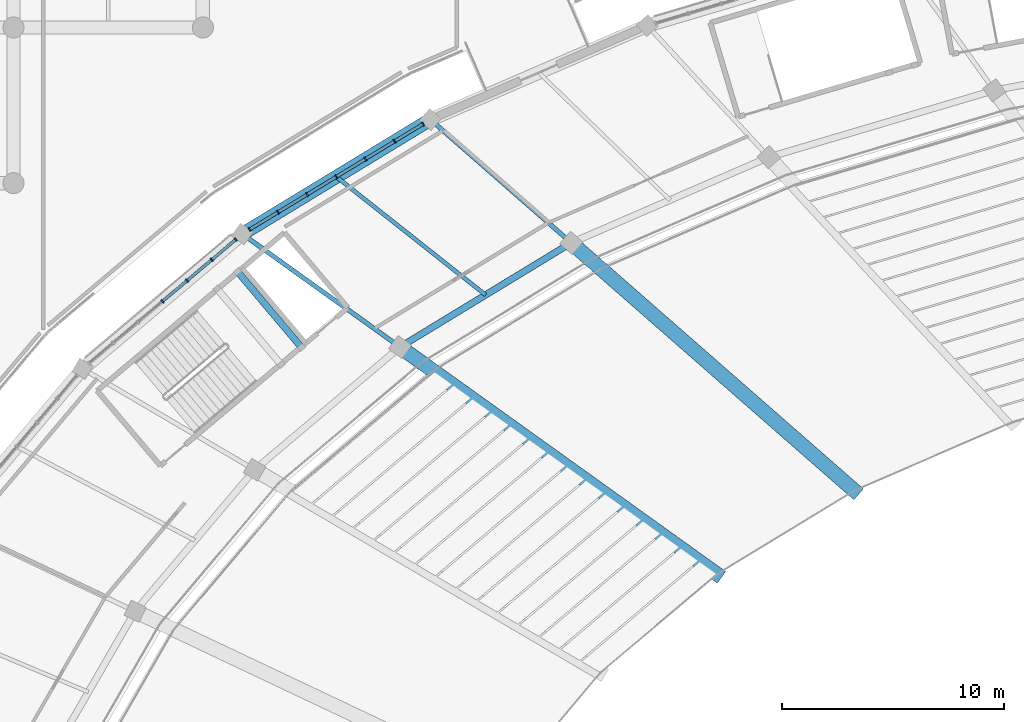
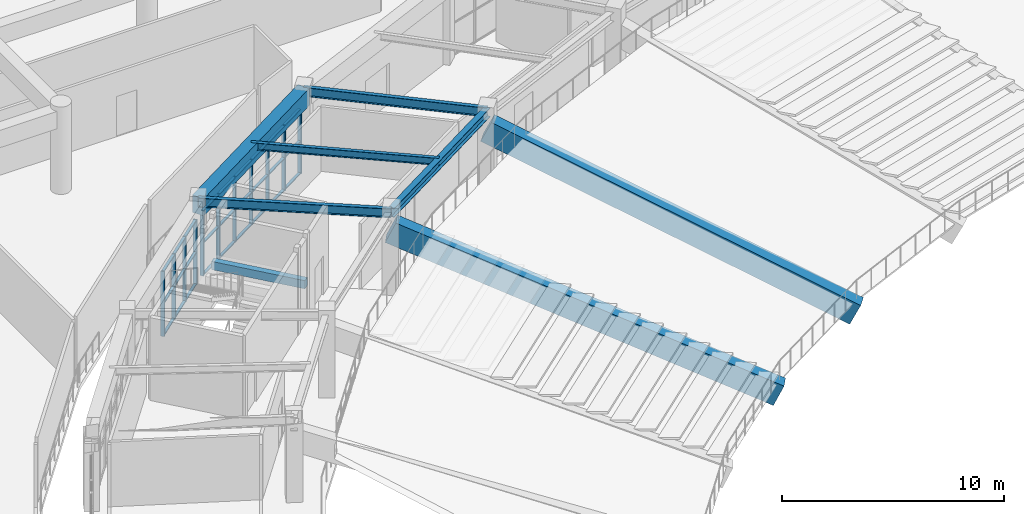
# One storey, part 54 of 137: 38 members, 8 beams, 2 elements without a shape of their own.
"""IFC4 building model written with IfcOpenShell, lengths in metres."""

import ifcopenshell
import ifcopenshell.guid

model = None  # the IFC model being written
_history = None  # IfcOwnerHistory: only IFC2X3 demands one
_inside = {}  # id of a spatial element -> (the spatial element, [elements in it])
_under = {}  # id of a project, library or spatial element -> (it, [spatial elements below it])
_declared = {}  # id of a project -> (the project, [libraries it declares])
_typed = {}  # id of a type object -> (the type object, [elements of that type])
_made_of = {}  # id of a material, layer set ... -> (it, [elements and type objects made of it])


def new_model(schema):
    """Start an empty IFC model of exactly this schema.

    Asked for "IFC4X3", IfcOpenShell would pick the latest addendum, in which some entities
    have other attributes; the version numbers below select the first issue.
    IFC2X3 requires an IfcOwnerHistory on every rooted entity: one is made here for all.
    """
    global model, _history
    if schema == "IFC4X3":
        model = ifcopenshell.file(schema_version=(4, 3, 0, 0))
    else:
        model = ifcopenshell.file(schema=schema)
    _inside.clear()
    _under.clear()
    _declared.clear()
    _typed.clear()
    _made_of.clear()
    _history = None
    if model.schema == "IFC2X3":
        org = make("IfcOrganization", Name="unknown")
        user = make(
            "IfcPersonAndOrganization",
            ThePerson=make("IfcPerson", FamilyName="unknown"),
            TheOrganization=org,
        )
        app = make(
            "IfcApplication",
            ApplicationDeveloper=org,
            Version="unknown",
            ApplicationFullName="unknown",
            ApplicationIdentifier="unknown",
        )
        _history = make(
            "IfcOwnerHistory",
            OwningUser=user,
            OwningApplication=app,
            ChangeAction="ADDED",
            CreationDate=0,
        )
    return model


def make(cls, **values):
    """One entity of the class cls with the attributes given. An attribute that is None is left unset."""
    return model.create_entity(
        cls, **{name: value for name, value in values.items() if value is not None}
    )


def rooted(cls, **values):
    """An entity with a GlobalId (a new one), such as an element, a storey or a relation."""
    return make(cls, GlobalId=ifcopenshell.guid.new(), OwnerHistory=_history, **values)


def si_unit(unit_type, name, prefix=None):
    """IfcSIUnit, for example si_unit("LENGTHUNIT", "METRE", prefix="MILLI")."""
    return make("IfcSIUnit", UnitType=unit_type, Prefix=prefix, Name=name)


def assignment(units):
    """IfcUnitAssignment: the units of a project."""
    return None if units is None else make("IfcUnitAssignment", Units=units)


def point(xyz):
    """IfcCartesianPoint."""
    return None if xyz is None else make("IfcCartesianPoint", Coordinates=xyz)


def direction(xyz):
    """IfcDirection."""
    return None if xyz is None else make("IfcDirection", DirectionRatios=xyz)


def frame(location, z_axis=None, x_axis=None):
    """IfcAxis2Placement3D, a coordinate frame: its origin and axes. An axis left out is left unset."""
    return make(
        "IfcAxis2Placement3D",
        Location=point(location),
        Axis=direction(z_axis),
        RefDirection=direction(x_axis),
    )


def frame_2d(location, x_axis=None):
    """IfcAxis2Placement2D, a coordinate frame in the plane: its origin and x axis."""
    return make(
        "IfcAxis2Placement2D", Location=point(location), RefDirection=direction(x_axis)
    )


def origin():
    """The frame at (0, 0, 0) with its axes left unset."""
    return frame((0.0, 0.0, 0.0))


def origin_2d():
    """The frame at (0, 0) in the plane with its x axis left unset."""
    return frame_2d((0.0, 0.0))


def place(relative_to, where):
    """IfcLocalPlacement: puts the frame where relative to a parent placement (None: the world)."""
    return make(
        "IfcLocalPlacement", PlacementRelTo=relative_to, RelativePlacement=where
    )


def context(
    kind, dimensions, precision=None, world=None, true_north=None, identifier=None
):
    """IfcGeometricRepresentationContext, for example the 3D "Model" context."""
    return make(
        "IfcGeometricRepresentationContext",
        ContextIdentifier=identifier,
        ContextType=kind,
        CoordinateSpaceDimension=dimensions,
        Precision=precision,
        WorldCoordinateSystem=world,
        TrueNorth=true_north,
    )


def subcontext(parent, identifier, kind, view, scale=None):
    """IfcGeometricRepresentationSubContext, for example "Body" below "Model"."""
    return make(
        "IfcGeometricRepresentationSubContext",
        ContextIdentifier=identifier,
        ContextType=kind,
        ParentContext=parent,
        TargetScale=scale,
        TargetView=view,
    )


def project(units=None, contexts=None):
    """IfcProject with its units and contexts."""
    return rooted(
        "IfcProject",
        Name="project",
        RepresentationContexts=contexts,
        UnitsInContext=assignment(units),
    )


def spatial(cls, under=None, at=None, **own):
    """A site, building, storey or space (cls), placed at a placement, below another one or the project."""
    s = rooted(cls, ObjectPlacement=at, **own)
    if under is not None:
        _under.setdefault(under.id(), (under, []))[1].append(s)
    return s


def profile(cls, at=None, kind="AREA", **sizes):
    """A parametric profile (cls). Its sizes go by their IFC names, for example OverallWidth=200.0."""
    return make(cls, ProfileType=kind, Position=at, **sizes)


def rectangle(**sizes):
    """IfcRectangleProfileDef."""
    return profile("IfcRectangleProfileDef", **sizes)


def i_section(**sizes):
    """IfcIShapeProfileDef."""
    return profile("IfcIShapeProfileDef", **sizes)


def extrude(swept, where, along, depth):
    """IfcExtrudedAreaSolid: the profile swept, set in the frame where, extruded along a direction by depth."""
    return make(
        "IfcExtrudedAreaSolid",
        SweptArea=swept,
        Position=where,
        ExtrudedDirection=direction(along),
        Depth=depth,
    )


def shape(context_of_items, identifier, shape_type, items):
    """IfcShapeRepresentation: the items that make up one representation, for example the "Body"."""
    return make(
        "IfcShapeRepresentation",
        ContextOfItems=context_of_items,
        RepresentationIdentifier=identifier,
        RepresentationType=shape_type,
        Items=items,
    )


def material(Name=None, Category=None):
    """IfcMaterial."""
    return make("IfcMaterial", Name=Name, Category=Category)


def layer(
    of_material, thickness, ventilated=None, Name=None, Category=None, Priority=None
):
    """IfcMaterialLayer: one layer of a wall or slab, of a material (None: an air gap)."""
    return make(
        "IfcMaterialLayer",
        Material=of_material,
        LayerThickness=thickness,
        IsVentilated=ventilated,
        Name=Name,
        Category=Category,
        Priority=Priority,
    )


def layer_set(layers, Name=None):
    """IfcMaterialLayerSet."""
    return make("IfcMaterialLayerSet", MaterialLayers=layers, LayerSetName=Name)


def material_profile(
    of_material, cross_section, Name=None, Category=None, Priority=None
):
    """IfcMaterialProfile: a cross section and its material."""
    return make(
        "IfcMaterialProfile",
        Name=Name,
        Material=of_material,
        Profile=cross_section,
        Priority=Priority,
        Category=Category,
    )


def profile_set(profiles, Name=None, composite=None):
    """IfcMaterialProfileSet."""
    return make(
        "IfcMaterialProfileSet",
        Name=Name,
        MaterialProfiles=profiles,
        CompositeProfile=composite,
    )


def made_of(thing, what):
    """Note that an element or type object is made of a material, layer set ...; save() writes the relation."""
    if what is not None:
        _made_of.setdefault(what.id(), (what, []))[1].append(thing)
    return thing


def type_object(cls, material=None, **own):
    """A type object (cls), such as IfcWallType, which elements share."""
    return made_of(rooted(cls, **own), material)


def element(
    cls,
    number,
    at=None,
    inside=None,
    cuts=None,
    type_object=None,
    material=None,
    context=None,
    identifier="Body",
    shape_type=None,
    held_by="IfcProductDefinitionShape",
    body=None,
    shapes=None,
    **own,
):
    """One element of the class cls, such as IfcWall. Its Tag is "e" and its number.

    at: its placement. inside: the storey or other place that contains it. cuts: it is an
    opening in that element (IfcRelVoidsElement). A single representation is given by context,
    identifier, shape_type and body (its items); several are given by shapes. held_by: the class
    of the entity that holds the representations. save() writes the other relations.
    """
    e = rooted(cls, Tag="e%d" % number, ObjectPlacement=at, **own)
    if body is not None:
        shapes = [shape(context, identifier, shape_type, body)]
    if shapes is not None:
        e.Representation = make(held_by, Representations=shapes)
    if inside is not None:
        _inside.setdefault(inside.id(), (inside, []))[1].append(e)
    if cuts is not None:
        rooted(
            "IfcRelVoidsElement", RelatingBuildingElement=cuts, RelatedOpeningElement=e
        )
    if type_object is not None:
        _typed.setdefault(type_object.id(), (type_object, []))[1].append(e)
    return made_of(e, material)


def aggregate(whole, parts):
    """IfcRelAggregates: a whole, such as a stair, and the parts it consists of."""
    return rooted("IfcRelAggregates", RelatingObject=whole, RelatedObjects=parts)


def save(model, path):
    """Write the relations noted so far, then the file.

    IfcRelAggregates (storeys below a building ...), IfcRelContainedInSpatialStructure (elements
    in a storey), IfcRelDefinesByType, IfcRelAssociatesMaterial and IfcRelDeclares: one each for
    every whole, place, type object, material and project.
    """
    for whole, parts in _under.values():
        aggregate(whole, parts)
    for where, things in _inside.values():
        rooted(
            "IfcRelContainedInSpatialStructure",
            RelatedElements=things,
            RelatingStructure=where,
        )
    for kind, things in _typed.values():
        rooted("IfcRelDefinesByType", RelatedObjects=things, RelatingType=kind)
    for what, things in _made_of.values():
        rooted("IfcRelAssociatesMaterial", RelatedObjects=things, RelatingMaterial=what)
    for by, libraries in _declared.values():
        rooted("IfcRelDeclares", RelatingContext=by, RelatedDefinitions=libraries)
    model.write(path)


model = new_model("IFC4")

# Units and contexts
model_context = context("Model", 3, precision=1e-05, world=origin(), true_north=direction((0.0, 1.0)))
body_context = subcontext(model_context, "Body", "Model", "MODEL_VIEW")
ifc_project = project(units=[si_unit("LENGTHUNIT", "METRE"), si_unit("AREAUNIT", "SQUARE_METRE"), si_unit("VOLUMEUNIT", "CUBIC_METRE"), si_unit("PLANEANGLEUNIT", "RADIAN"), si_unit("MASSUNIT", "GRAM", prefix="KILO")], contexts=[model_context])

# Site, building, storey
site_placement = place(None, origin())
site = spatial("IfcSite", under=ifc_project, at=site_placement, CompositionType="ELEMENT")
building_placement = place(site_placement, origin())
building = spatial("IfcBuilding", under=site, at=building_placement, Name="Mphavela Belvedere Stadium", CompositionType="ELEMENT")
storey_placement = place(building_placement, frame((0.0, 0.0, 19.199951171875)))
storey = spatial("IfcBuildingStorey", under=building, at=storey_placement, Name="L04", CompositionType="ELEMENT", Elevation=19.199951171875)

# Beams
ifc_material_1 = material(Name="Concrete C40/50", Category="concrete")
ifc_material_profile_1 = material_profile(ifc_material_1, rectangle(XDim=0.60009765625, YDim=0.949951171875, at=origin_2d()), Name="RC 600x950")
ifc_profile_set_1 = profile_set([ifc_material_profile_1], Name="Concrete C40/50")
beam_type_1 = type_object("IfcBeamType", Name="BM-ENTABLATURE-950", PredefinedType="SPANDREL", material=ifc_profile_set_1)
beam_1_placement = place(storey_placement, frame((44.3037109375, 148.86083984375, 4.074951171875), z_axis=(-0.854326607994, -0.51973651678, 0.0), x_axis=(0.51973651678, -0.854326607994, 0.0)))
element("IfcBeam", 1, at=beam_1_placement, inside=storey, type_object=beam_type_1, Name="Circumferential girder L04 R4-18", PredefinedType="SPANDREL", context=body_context, shape_type="SweptSolid", body=[
    extrude(rectangle(XDim=0.60009765625, YDim=0.949951171875, at=origin_2d()), origin(), (0.0, 0.0, 1.0), 9.901611328125),
])
ifc_material_2 = material(Name="Steel S355", Category="steel")
ifc_material_profile_2 = material_profile(ifc_material_2, i_section(OverallWidth=0.179931640625, OverallDepth=0.39990234375, WebThickness=0.008544921875, FlangeThickness=0.013427734375, at=origin_2d()), Name="IPE 400")
ifc_profile_set_2 = profile_set([ifc_material_profile_2], Name="Steel S355")
beam_type_2 = type_object("IfcBeamType", Name="BM-JOIST-IPE400", PredefinedType="JOIST", material=ifc_profile_set_2)
beam_2_placement = place(storey_placement, frame((46.789306640625, 140.97412109375, 4.35009765625), z_axis=(-0.784195537739, 0.620513785979, 0.0), x_axis=(-0.620513785979, -0.784195537739, 0.0)))
element("IfcBeam", 2, at=beam_2_placement, inside=storey, type_object=beam_type_2, Name="Concourse floor joist L04-18", PredefinedType="JOIST", context=body_context, shape_type="SweptSolid", body=[
    extrude(i_section(OverallWidth=0.179931640625, OverallDepth=0.39990234375, WebThickness=0.008544921875, FlangeThickness=0.013427734375, at=origin_2d()), origin(), (0.0, 0.0, 1.0), 8.56298828125),
])
ifc_material_3 = material(Name="Precast concrete C45/55", Category="concrete")
ifc_material_profile_3 = material_profile(ifc_material_3, rectangle(XDim=0.64990234375, YDim=1.199951171875, at=origin_2d()), Name="PC 650x1200")
ifc_profile_set_3 = profile_set([ifc_material_profile_3], Name="Precast concrete C45/55")
beam_type_3 = type_object("IfcBeamType", Name="BM-RAKER-UPPER", PredefinedType="USERDEFINED", material=ifc_profile_set_3)
beam_3_placement = place(storey_placement, frame((63.37841796875, 132.170166015625, -4.349853515625), z_axis=(-0.684252041104, 0.598748403333, 0.416292557886), x_axis=(-0.65852196664, -0.752561505429, 0.0)))
element("IfcBeam", 3, at=beam_3_placement, inside=storey, type_object=beam_type_3, Name="Upper tier precast cantilever raker beam RK-U-18", ObjectType="RAKER BEAM", PredefinedType="USERDEFINED", context=body_context, shape_type="SweptSolid", body=[
    extrude(rectangle(XDim=0.64990234375, YDim=1.199951171875, at=origin_2d()), origin(), (0.0, 0.0, 1.0), 18.61669921875),
])
beam_4_placement = place(storey_placement, frame((57.201416015625, 128.412353515625, -4.349853515625), z_axis=(-0.743575410162, 0.532772672348, 0.40404070216), x_axis=(-0.582430073559, -0.812880808861, 0.0)))
element("IfcBeam", 4, at=beam_4_placement, inside=storey, type_object=beam_type_3, Name="Upper tier precast cantilever raker beam RK-U-19", ObjectType="RAKER BEAM", PredefinedType="USERDEFINED", context=body_context, shape_type="SweptSolid", body=[
    extrude(rectangle(XDim=0.64990234375, YDim=1.199951171875, at=origin_2d()), origin(), (0.0, 0.0, 1.0), 19.18115234375),
])
ifc_material_4 = material(Name="Concrete C40/50", Category="concrete")
ifc_material_profile_4 = material_profile(ifc_material_4, rectangle(XDim=0.300048828125, YDim=0.449951171875, at=origin_2d()), Name="RC 300x450")
ifc_profile_set_4 = profile_set([ifc_material_profile_4], Name="Concrete C40/50")
beam_type_4 = type_object("IfcBeamType", Name="BM-RC300x450", PredefinedType="BEAM", material=ifc_profile_set_4)
beam_5_placement = place(storey_placement, frame((38.510009765625, 138.612548828125, 1.97509765625), z_axis=(-0.644915803055, 0.764253627384, 0.0), x_axis=(-0.764253627384, -0.644915803055, 0.0)))
element("IfcBeam", 5, at=beam_5_placement, inside=storey, type_object=beam_type_4, Name="Core C05 landing trimmer beam L04-2", PredefinedType="BEAM", context=body_context, shape_type="SweptSolid", body=[
    extrude(rectangle(XDim=0.300048828125, YDim=0.449951171875, at=origin_2d()), origin(), (0.0, 0.0, 1.0), 4.469970703125),
])
ifc_material_5 = material(Name="Steel S355", Category="steel")
ifc_material_profile_5 = material_profile(ifc_material_5, i_section(OverallWidth=0.300048828125, OverallDepth=0.489990234375, WebThickness=0.011962890625, FlangeThickness=0.02294921875, at=origin_2d()), Name="HEA 500")
ifc_profile_set_5 = profile_set([ifc_material_profile_5], Name="Steel S355")
beam_type_5 = type_object("IfcBeamType", Name="BM-STEEL-HEA500", PredefinedType="BEAM", material=ifc_profile_set_5)
beam_6_placement = place(storey_placement, frame((50.639892578125, 143.31689453125, 4.304931640625), z_axis=(-0.854315160357, -0.519755333579, 0.0), x_axis=(0.519755333579, -0.854315160357, 0.0)))
element("IfcBeam", 6, at=beam_6_placement, inside=storey, type_object=beam_type_5, Name="Circumferential girder L04 R3-18", PredefinedType="BEAM", context=body_context, shape_type="SweptSolid", body=[
    extrude(i_section(OverallWidth=0.300048828125, OverallDepth=0.489990234375, WebThickness=0.011962890625, FlangeThickness=0.02294921875, at=origin_2d()), origin(), (0.0, 0.0, 1.0), 9.014404296875),
])
ifc_material_6 = material(Name="Steel S355", Category="steel")
ifc_material_profile_6 = material_profile(ifc_material_6, i_section(OverallWidth=0.199951171875, OverallDepth=0.5, WebThickness=0.01025390625, FlangeThickness=0.01611328125, at=origin_2d()), Name="IPE 500")
ifc_profile_set_6 = profile_set([ifc_material_profile_6], Name="Steel S355")
beam_type_6 = type_object("IfcBeamType", Name="BM-STEEL-IPE500", PredefinedType="BEAM", material=ifc_profile_set_6)
beam_7_placement = place(storey_placement, frame((50.639892578125, 143.31689453125, 4.300048828125), z_axis=(-0.752589268993, 0.658490236978, 0.0), x_axis=(-0.658490236978, -0.752589268993, 0.0)))
element("IfcBeam", 7, at=beam_7_placement, inside=storey, type_object=beam_type_6, Name="Radial concourse girder L04 R3R4-18", PredefinedType="BEAM", context=body_context, shape_type="SweptSolid", body=[
    extrude(i_section(OverallWidth=0.199951171875, OverallDepth=0.5, WebThickness=0.01025390625, FlangeThickness=0.01611328125, at=origin_2d()), origin(), (0.0, 0.0, 1.0), 8.419189453125),
])
beam_8_placement = place(storey_placement, frame((42.938720703125, 138.631591796875, 4.300048828125), z_axis=(-0.812882024932, 0.582428376319, 0.0), x_axis=(-0.582428376319, -0.812882024932, 0.0)))
element("IfcBeam", 8, at=beam_8_placement, inside=storey, type_object=beam_type_6, Name="Radial concourse girder L04 R3R4-19", PredefinedType="BEAM", context=body_context, shape_type="SweptSolid", body=[
    extrude(i_section(OverallWidth=0.199951171875, OverallDepth=0.5, WebThickness=0.01025390625, FlangeThickness=0.01611328125, at=origin_2d()), origin(), (0.0, 0.0, 1.0), 8.727294921875),
])

# Curtain wall, members
ifc_material_7 = material(Name="Anodised bronze unitised curtain wall framing")
ifc_layer_1 = layer(ifc_material_7, 0.179931640625)
ifc_layer_set_1 = layer_set([ifc_layer_1], Name="Anodised bronze unitised curtain wall framing")
curtain_wall_type_1 = type_object("IfcCurtainWallType", Name="CW-UNIT-01", PredefinedType="USERDEFINED", material=ifc_layer_set_1)
curtain_wall_1_placement = place(storey_placement, origin())
curtain_wall_1 = element("IfcCurtainWall", 9, at=curtain_wall_1_placement, inside=storey, type_object=curtain_wall_type_1, Name="Belvedere colonnade curtain wall L04-18", ObjectType="UNITISED CURTAIN WALL", PredefinedType="USERDEFINED")
ifc_material_8 = material(Name="Anodised bronze extruded aluminium", Category="aluminium")
ifc_material_profile_7 = material_profile(ifc_material_8, rectangle(XDim=0.179931640625, YDim=0.06494140625, at=origin_2d()), Name="CW-MUL 180x65")
ifc_profile_set_7 = profile_set([ifc_material_profile_7], Name="Anodised bronze extruded aluminium")
member_type_1 = type_object("IfcMemberType", Name="CWM-180x65", PredefinedType="MULLION", material=ifc_profile_set_7)
member_1_placement = place(storey_placement, frame((43.978759765625, 148.6630859375, 0.0), z_axis=(0.0, 0.0, 1.0), x_axis=(0.519735341101, -0.854327323226, 0.0)))
member_1 = element("IfcMember", 10, at=member_1_placement, type_object=member_type_1, Name="CW-01 mullion 1", PredefinedType="MULLION", context=body_context, shape_type="SweptSolid", body=[
    extrude(rectangle(XDim=0.179931640625, YDim=0.06494140625, at=origin_2d()), origin(), (0.0, 0.0, 1.0), 3.570068359375),
])
member_2_placement = place(storey_placement, frame((42.69580078125, 147.882568359375, 0.0), z_axis=(0.0, 0.0, 1.0), x_axis=(0.519735341101, -0.854327323226, 0.0)))
member_2 = element("IfcMember", 11, at=member_2_placement, type_object=member_type_1, Name="CW-01 mullion 2", PredefinedType="MULLION", context=body_context, shape_type="SweptSolid", body=[
    extrude(rectangle(XDim=0.179931640625, YDim=0.06494140625, at=origin_2d()), origin(), (0.0, 0.0, 1.0), 3.570068359375),
])
member_3_placement = place(storey_placement, frame((41.385009765625, 147.085205078125, 0.0), z_axis=(0.0, 0.0, 1.0), x_axis=(0.519735341101, -0.854327323226, 0.0)))
member_3 = element("IfcMember", 12, at=member_3_placement, type_object=member_type_1, Name="CW-01 mullion 3", PredefinedType="MULLION", context=body_context, shape_type="SweptSolid", body=[
    extrude(rectangle(XDim=0.179931640625, YDim=0.06494140625, at=origin_2d()), origin(), (0.0, 0.0, 1.0), 3.570068359375),
])
member_4_placement = place(storey_placement, frame((40.07421875, 146.28759765625, 0.0), z_axis=(0.0, 0.0, 1.0), x_axis=(0.519735341101, -0.854327323226, 0.0)))
member_4 = element("IfcMember", 13, at=member_4_placement, type_object=member_type_1, Name="CW-01 mullion 4", PredefinedType="MULLION", context=body_context, shape_type="SweptSolid", body=[
    extrude(rectangle(XDim=0.179931640625, YDim=0.06494140625, at=origin_2d()), origin(), (0.0, 0.0, 1.0), 3.570068359375),
])
member_5_placement = place(storey_placement, frame((38.76318359375, 145.490234375, 0.0), z_axis=(0.0, 0.0, 1.0), x_axis=(0.519735341101, -0.854327323226, 0.0)))
member_5 = element("IfcMember", 14, at=member_5_placement, type_object=member_type_1, Name="CW-01 mullion 5", PredefinedType="MULLION", context=body_context, shape_type="SweptSolid", body=[
    extrude(rectangle(XDim=0.179931640625, YDim=0.06494140625, at=origin_2d()), origin(), (0.0, 0.0, 1.0), 3.570068359375),
])
member_6_placement = place(storey_placement, frame((37.452392578125, 144.69287109375, 0.0), z_axis=(0.0, 0.0, 1.0), x_axis=(0.519735341101, -0.854327323226, 0.0)))
member_6 = element("IfcMember", 15, at=member_6_placement, type_object=member_type_1, Name="CW-01 mullion 6", PredefinedType="MULLION", context=body_context, shape_type="SweptSolid", body=[
    extrude(rectangle(XDim=0.179931640625, YDim=0.06494140625, at=origin_2d()), origin(), (0.0, 0.0, 1.0), 3.570068359375),
])
member_7_placement = place(storey_placement, frame((36.16943359375, 143.912353515625, 0.0), z_axis=(0.0, 0.0, 1.0), x_axis=(0.519735341101, -0.854327323226, 0.0)))
member_7 = element("IfcMember", 16, at=member_7_placement, type_object=member_type_1, Name="CW-01 mullion 7", PredefinedType="MULLION", context=body_context, shape_type="SweptSolid", body=[
    extrude(rectangle(XDim=0.179931640625, YDim=0.06494140625, at=origin_2d()), origin(), (0.0, 0.0, 1.0), 3.570068359375),
])

ifc_material_9 = material(Name="Anodised bronze unitised curtain wall framing")
ifc_layer_2 = layer(ifc_material_9, 0.18505859375)
ifc_layer_set_2 = layer_set([ifc_layer_2], Name="Anodised bronze unitised curtain wall framing")
curtain_wall_type_2 = type_object("IfcCurtainWallType", Name="CW-UNIT-02", PredefinedType="USERDEFINED", material=ifc_layer_set_2)
curtain_wall_2_placement = place(storey_placement, origin())
curtain_wall_2 = element("IfcCurtainWall", 17, at=curtain_wall_2_placement, inside=storey, type_object=curtain_wall_type_2, Name="Belvedere colonnade curtain wall L04-19", ObjectType="UNITISED CURTAIN WALL", PredefinedType="USERDEFINED")
member_8_placement = place(storey_placement, frame((35.553466796875, 143.46923828125, 0.0), z_axis=(0.0, 0.0, 1.0), x_axis=(0.644916038089, -0.764253429051, 0.0)))
member_8 = element("IfcMember", 18, at=member_8_placement, type_object=member_type_1, Name="CW-02 mullion 1", PredefinedType="MULLION", context=body_context, shape_type="SweptSolid", body=[
    extrude(rectangle(XDim=0.179931640625, YDim=0.06494140625, at=origin_2d()), origin(), (0.0, 0.0, 1.0), 3.570068359375),
])
member_9_placement = place(storey_placement, frame((34.469970703125, 142.5546875, 0.0), z_axis=(0.0, 0.0, 1.0), x_axis=(0.644916038089, -0.764253429051, 0.0)))
member_9 = element("IfcMember", 19, at=member_9_placement, type_object=member_type_1, Name="CW-02 mullion 2", PredefinedType="MULLION", context=body_context, shape_type="SweptSolid", body=[
    extrude(rectangle(XDim=0.179931640625, YDim=0.06494140625, at=origin_2d()), origin(), (0.0, 0.0, 1.0), 3.570068359375),
])
member_10_placement = place(storey_placement, frame((33.361572265625, 141.619384765625, 0.0), z_axis=(0.0, 0.0, 1.0), x_axis=(0.644916038089, -0.764253429051, 0.0)))
member_10 = element("IfcMember", 20, at=member_10_placement, type_object=member_type_1, Name="CW-02 mullion 3", PredefinedType="MULLION", context=body_context, shape_type="SweptSolid", body=[
    extrude(rectangle(XDim=0.179931640625, YDim=0.06494140625, at=origin_2d()), origin(), (0.0, 0.0, 1.0), 3.570068359375),
])
member_11_placement = place(storey_placement, frame((32.2529296875, 140.68408203125, 0.0), z_axis=(0.0, 0.0, 1.0), x_axis=(0.644916038089, -0.764253429051, 0.0)))
member_11 = element("IfcMember", 21, at=member_11_placement, type_object=member_type_1, Name="CW-02 mullion 4", PredefinedType="MULLION", context=body_context, shape_type="SweptSolid", body=[
    extrude(rectangle(XDim=0.179931640625, YDim=0.06494140625, at=origin_2d()), origin(), (0.0, 0.0, 1.0), 3.570068359375),
])

# Member
ifc_material_10 = material(Name="Anodised bronze extruded aluminium", Category="aluminium")
ifc_material_profile_8 = material_profile(ifc_material_10, rectangle(XDim=0.139892578125, YDim=0.06005859375, at=origin_2d()), Name="CW-TRN 140x60")
ifc_profile_set_8 = profile_set([ifc_material_profile_8], Name="Anodised bronze extruded aluminium")
member_type_2 = type_object("IfcMemberType", Name="CWT-140x60", PredefinedType="USERDEFINED", material=ifc_profile_set_8)
member_12_placement = place(storey_placement, frame((43.950927734375, 148.646240234375, 0.030029296875), z_axis=(-0.854313371297, -0.519758274224, 0.0), x_axis=(0.519758274224, -0.854313371297, 0.0)))
member_12 = element("IfcMember", 22, at=member_12_placement, type_object=member_type_2, Name="CW-01 transom 1.1", ObjectType="TRANSOM", PredefinedType="USERDEFINED", context=body_context, shape_type="SweptSolid", body=[
    extrude(rectangle(XDim=0.139892578125, YDim=0.06005859375, at=origin_2d()), origin(), (0.0, 0.0, 1.0), 1.436767578125),
])

member_13_placement = place(storey_placement, frame((43.950927734375, 148.646240234375, 1.78515625), z_axis=(-0.854313371297, -0.519758274224, 0.0), x_axis=(0.519758274224, -0.854313371297, 0.0)))
member_13 = element("IfcMember", 23, at=member_13_placement, type_object=member_type_2, Name="CW-01 transom 1.2", ObjectType="TRANSOM", PredefinedType="USERDEFINED", context=body_context, shape_type="SweptSolid", body=[
    extrude(rectangle(XDim=0.139892578125, YDim=0.06005859375, at=origin_2d()), origin(), (0.0, 0.0, 1.0), 1.436767578125),
])

member_14_placement = place(storey_placement, frame((43.950927734375, 148.646240234375, 3.5400390625), z_axis=(-0.854313371297, -0.519758274224, 0.0), x_axis=(0.519758274224, -0.854313371297, 0.0)))
member_14 = element("IfcMember", 24, at=member_14_placement, type_object=member_type_2, Name="CW-01 transom 1.3", ObjectType="TRANSOM", PredefinedType="USERDEFINED", context=body_context, shape_type="SweptSolid", body=[
    extrude(rectangle(XDim=0.139892578125, YDim=0.06005859375, at=origin_2d()), origin(), (0.0, 0.0, 1.0), 1.436767578125),
])

member_15_placement = place(storey_placement, frame((42.66796875, 147.86572265625, 0.030029296875), z_axis=(-0.854339693741, -0.519715006228, 0.0), x_axis=(0.519715006228, -0.854339693741, 0.0)))
member_15 = element("IfcMember", 25, at=member_15_placement, type_object=member_type_2, Name="CW-01 transom 2.1", ObjectType="TRANSOM", PredefinedType="USERDEFINED", context=body_context, shape_type="SweptSolid", body=[
    extrude(rectangle(XDim=0.139892578125, YDim=0.06005859375, at=origin_2d()), origin(), (0.0, 0.0, 1.0), 1.469482421875),
])

member_16_placement = place(storey_placement, frame((42.66796875, 147.86572265625, 1.78515625), z_axis=(-0.854339693741, -0.519715006228, 0.0), x_axis=(0.519715006228, -0.854339693741, 0.0)))
member_16 = element("IfcMember", 26, at=member_16_placement, type_object=member_type_2, Name="CW-01 transom 2.2", ObjectType="TRANSOM", PredefinedType="USERDEFINED", context=body_context, shape_type="SweptSolid", body=[
    extrude(rectangle(XDim=0.139892578125, YDim=0.06005859375, at=origin_2d()), origin(), (0.0, 0.0, 1.0), 1.469482421875),
])

member_17_placement = place(storey_placement, frame((42.66796875, 147.86572265625, 3.5400390625), z_axis=(-0.854339693741, -0.519715006228, 0.0), x_axis=(0.519715006228, -0.854339693741, 0.0)))
member_17 = element("IfcMember", 27, at=member_17_placement, type_object=member_type_2, Name="CW-01 transom 2.3", ObjectType="TRANSOM", PredefinedType="USERDEFINED", context=body_context, shape_type="SweptSolid", body=[
    extrude(rectangle(XDim=0.139892578125, YDim=0.06005859375, at=origin_2d()), origin(), (0.0, 0.0, 1.0), 1.469482421875),
])

member_18_placement = place(storey_placement, frame((41.357177734375, 147.068359375, 0.030029296875), z_axis=(-0.854339693741, -0.519715006228, 0.0), x_axis=(0.519715006228, -0.854339693741, 0.0)))
member_18 = element("IfcMember", 28, at=member_18_placement, type_object=member_type_2, Name="CW-01 transom 3.1", ObjectType="TRANSOM", PredefinedType="USERDEFINED", context=body_context, shape_type="SweptSolid", body=[
    extrude(rectangle(XDim=0.139892578125, YDim=0.06005859375, at=origin_2d()), origin(), (0.0, 0.0, 1.0), 1.469482421875),
])

member_19_placement = place(storey_placement, frame((41.357177734375, 147.068359375, 1.78515625), z_axis=(-0.854339693741, -0.519715006228, 0.0), x_axis=(0.519715006228, -0.854339693741, 0.0)))
member_19 = element("IfcMember", 29, at=member_19_placement, type_object=member_type_2, Name="CW-01 transom 3.2", ObjectType="TRANSOM", PredefinedType="USERDEFINED", context=body_context, shape_type="SweptSolid", body=[
    extrude(rectangle(XDim=0.139892578125, YDim=0.06005859375, at=origin_2d()), origin(), (0.0, 0.0, 1.0), 1.469482421875),
])

member_20_placement = place(storey_placement, frame((41.357177734375, 147.068359375, 3.5400390625), z_axis=(-0.854339693741, -0.519715006228, 0.0), x_axis=(0.519715006228, -0.854339693741, 0.0)))
member_20 = element("IfcMember", 30, at=member_20_placement, type_object=member_type_2, Name="CW-01 transom 3.3", ObjectType="TRANSOM", PredefinedType="USERDEFINED", context=body_context, shape_type="SweptSolid", body=[
    extrude(rectangle(XDim=0.139892578125, YDim=0.06005859375, at=origin_2d()), origin(), (0.0, 0.0, 1.0), 1.469482421875),
])

member_21_placement = place(storey_placement, frame((40.04638671875, 146.270751953125, 0.030029296875), z_axis=(-0.854339693741, -0.519715006228, 0.0), x_axis=(0.519715006228, -0.854339693741, 0.0)))
member_21 = element("IfcMember", 31, at=member_21_placement, type_object=member_type_2, Name="CW-01 transom 4.1", ObjectType="TRANSOM", PredefinedType="USERDEFINED", context=body_context, shape_type="SweptSolid", body=[
    extrude(rectangle(XDim=0.139892578125, YDim=0.06005859375, at=origin_2d()), origin(), (0.0, 0.0, 1.0), 1.469482421875),
])

member_22_placement = place(storey_placement, frame((40.04638671875, 146.270751953125, 1.78515625), z_axis=(-0.854339693741, -0.519715006228, 0.0), x_axis=(0.519715006228, -0.854339693741, 0.0)))
member_22 = element("IfcMember", 32, at=member_22_placement, type_object=member_type_2, Name="CW-01 transom 4.2", ObjectType="TRANSOM", PredefinedType="USERDEFINED", context=body_context, shape_type="SweptSolid", body=[
    extrude(rectangle(XDim=0.139892578125, YDim=0.06005859375, at=origin_2d()), origin(), (0.0, 0.0, 1.0), 1.469482421875),
])

member_23_placement = place(storey_placement, frame((40.04638671875, 146.270751953125, 3.5400390625), z_axis=(-0.854339693741, -0.519715006228, 0.0), x_axis=(0.519715006228, -0.854339693741, 0.0)))
member_23 = element("IfcMember", 33, at=member_23_placement, type_object=member_type_2, Name="CW-01 transom 4.3", ObjectType="TRANSOM", PredefinedType="USERDEFINED", context=body_context, shape_type="SweptSolid", body=[
    extrude(rectangle(XDim=0.139892578125, YDim=0.06005859375, at=origin_2d()), origin(), (0.0, 0.0, 1.0), 1.469482421875),
])

member_24_placement = place(storey_placement, frame((38.735595703125, 145.473388671875, 0.030029296875), z_axis=(-0.854339693741, -0.519715006228, 0.0), x_axis=(0.519715006228, -0.854339693741, 0.0)))
member_24 = element("IfcMember", 34, at=member_24_placement, type_object=member_type_2, Name="CW-01 transom 5.1", ObjectType="TRANSOM", PredefinedType="USERDEFINED", context=body_context, shape_type="SweptSolid", body=[
    extrude(rectangle(XDim=0.139892578125, YDim=0.06005859375, at=origin_2d()), origin(), (0.0, 0.0, 1.0), 1.469482421875),
])

member_25_placement = place(storey_placement, frame((38.735595703125, 145.473388671875, 1.78515625), z_axis=(-0.854339693741, -0.519715006228, 0.0), x_axis=(0.519715006228, -0.854339693741, 0.0)))
member_25 = element("IfcMember", 35, at=member_25_placement, type_object=member_type_2, Name="CW-01 transom 5.2", ObjectType="TRANSOM", PredefinedType="USERDEFINED", context=body_context, shape_type="SweptSolid", body=[
    extrude(rectangle(XDim=0.139892578125, YDim=0.06005859375, at=origin_2d()), origin(), (0.0, 0.0, 1.0), 1.469482421875),
])

member_26_placement = place(storey_placement, frame((38.735595703125, 145.473388671875, 3.5400390625), z_axis=(-0.854339693741, -0.519715006228, 0.0), x_axis=(0.519715006228, -0.854339693741, 0.0)))
member_26 = element("IfcMember", 36, at=member_26_placement, type_object=member_type_2, Name="CW-01 transom 5.3", ObjectType="TRANSOM", PredefinedType="USERDEFINED", context=body_context, shape_type="SweptSolid", body=[
    extrude(rectangle(XDim=0.139892578125, YDim=0.06005859375, at=origin_2d()), origin(), (0.0, 0.0, 1.0), 1.469482421875),
])

member_27_placement = place(storey_placement, frame((37.4248046875, 144.676025390625, 0.030029296875), z_axis=(-0.854313371297, -0.519758274224, 0.0), x_axis=(0.519758274224, -0.854313371297, 0.0)))
member_27 = element("IfcMember", 37, at=member_27_placement, type_object=member_type_2, Name="CW-01 transom 6.1", ObjectType="TRANSOM", PredefinedType="USERDEFINED", context=body_context, shape_type="SweptSolid", body=[
    extrude(rectangle(XDim=0.139892578125, YDim=0.06005859375, at=origin_2d()), origin(), (0.0, 0.0, 1.0), 1.436767578125),
])

member_28_placement = place(storey_placement, frame((37.4248046875, 144.676025390625, 1.78515625), z_axis=(-0.854313371297, -0.519758274224, 0.0), x_axis=(0.519758274224, -0.854313371297, 0.0)))
member_28 = element("IfcMember", 38, at=member_28_placement, type_object=member_type_2, Name="CW-01 transom 6.2", ObjectType="TRANSOM", PredefinedType="USERDEFINED", context=body_context, shape_type="SweptSolid", body=[
    extrude(rectangle(XDim=0.139892578125, YDim=0.06005859375, at=origin_2d()), origin(), (0.0, 0.0, 1.0), 1.436767578125),
])

member_29_placement = place(storey_placement, frame((37.4248046875, 144.676025390625, 3.5400390625), z_axis=(-0.854313371297, -0.519758274224, 0.0), x_axis=(0.519758274224, -0.854313371297, 0.0)))
member_29 = element("IfcMember", 39, at=member_29_placement, type_object=member_type_2, Name="CW-01 transom 6.3", ObjectType="TRANSOM", PredefinedType="USERDEFINED", context=body_context, shape_type="SweptSolid", body=[
    extrude(rectangle(XDim=0.139892578125, YDim=0.06005859375, at=origin_2d()), origin(), (0.0, 0.0, 1.0), 1.436767578125),
])

aggregate(curtain_wall_1, [member_1, member_2, member_3, member_4, member_5, member_6, member_7, member_12, member_13, member_14, member_15, member_16, member_17, member_18, member_19, member_20, member_21, member_22, member_23, member_24, member_25, member_26, member_27, member_28, member_29])

member_30_placement = place(storey_placement, frame((35.52880859375, 143.4482421875, 0.030029296875), z_axis=(-0.764227553542, -0.644946700439, 0.0), x_axis=(0.644946700439, -0.764227553542, 0.0)))
member_30 = element("IfcMember", 40, at=member_30_placement, type_object=member_type_2, Name="CW-02 transom 1.1", ObjectType="TRANSOM", PredefinedType="USERDEFINED", context=body_context, shape_type="SweptSolid", body=[
    extrude(rectangle(XDim=0.139892578125, YDim=0.06005859375, at=origin_2d()), origin(), (0.0, 0.0, 1.0), 1.35302734375),
])

member_31_placement = place(storey_placement, frame((35.52880859375, 143.4482421875, 1.78515625), z_axis=(-0.764227553542, -0.644946700439, 0.0), x_axis=(0.644946700439, -0.764227553542, 0.0)))
member_31 = element("IfcMember", 41, at=member_31_placement, type_object=member_type_2, Name="CW-02 transom 1.2", ObjectType="TRANSOM", PredefinedType="USERDEFINED", context=body_context, shape_type="SweptSolid", body=[
    extrude(rectangle(XDim=0.139892578125, YDim=0.06005859375, at=origin_2d()), origin(), (0.0, 0.0, 1.0), 1.35302734375),
])

member_32_placement = place(storey_placement, frame((35.52880859375, 143.4482421875, 3.5400390625), z_axis=(-0.764227553542, -0.644946700439, 0.0), x_axis=(0.644946700439, -0.764227553542, 0.0)))
member_32 = element("IfcMember", 42, at=member_32_placement, type_object=member_type_2, Name="CW-02 transom 1.3", ObjectType="TRANSOM", PredefinedType="USERDEFINED", context=body_context, shape_type="SweptSolid", body=[
    extrude(rectangle(XDim=0.139892578125, YDim=0.06005859375, at=origin_2d()), origin(), (0.0, 0.0, 1.0), 1.35302734375),
])

member_33_placement = place(storey_placement, frame((34.445068359375, 142.53369140625, 0.030029296875), z_axis=(-0.764321340715, -0.644835551228, 0.0), x_axis=(0.644835551228, -0.764321340715, 0.0)))
member_33 = element("IfcMember", 43, at=member_33_placement, type_object=member_type_2, Name="CW-02 transom 2.1", ObjectType="TRANSOM", PredefinedType="USERDEFINED", context=body_context, shape_type="SweptSolid", body=[
    extrude(rectangle(XDim=0.139892578125, YDim=0.06005859375, at=origin_2d()), origin(), (0.0, 0.0, 1.0), 1.38525390625),
])

member_34_placement = place(storey_placement, frame((34.445068359375, 142.53369140625, 1.78515625), z_axis=(-0.764321340715, -0.644835551228, 0.0), x_axis=(0.644835551228, -0.764321340715, 0.0)))
member_34 = element("IfcMember", 44, at=member_34_placement, type_object=member_type_2, Name="CW-02 transom 2.2", ObjectType="TRANSOM", PredefinedType="USERDEFINED", context=body_context, shape_type="SweptSolid", body=[
    extrude(rectangle(XDim=0.139892578125, YDim=0.06005859375, at=origin_2d()), origin(), (0.0, 0.0, 1.0), 1.38525390625),
])

member_35_placement = place(storey_placement, frame((34.445068359375, 142.53369140625, 3.5400390625), z_axis=(-0.764321340715, -0.644835551228, 0.0), x_axis=(0.644835551228, -0.764321340715, 0.0)))
member_35 = element("IfcMember", 45, at=member_35_placement, type_object=member_type_2, Name="CW-02 transom 2.3", ObjectType="TRANSOM", PredefinedType="USERDEFINED", context=body_context, shape_type="SweptSolid", body=[
    extrude(rectangle(XDim=0.139892578125, YDim=0.06005859375, at=origin_2d()), origin(), (0.0, 0.0, 1.0), 1.38525390625),
])

member_36_placement = place(storey_placement, frame((33.336669921875, 141.598388671875, 0.030029296875), z_axis=(-0.764321340715, -0.644835551228, 0.0), x_axis=(0.644835551228, -0.764321340715, 0.0)))
member_36 = element("IfcMember", 46, at=member_36_placement, type_object=member_type_2, Name="CW-02 transom 3.1", ObjectType="TRANSOM", PredefinedType="USERDEFINED", context=body_context, shape_type="SweptSolid", body=[
    extrude(rectangle(XDim=0.139892578125, YDim=0.06005859375, at=origin_2d()), origin(), (0.0, 0.0, 1.0), 1.38525390625),
])

member_37_placement = place(storey_placement, frame((33.336669921875, 141.598388671875, 1.78515625), z_axis=(-0.764321340715, -0.644835551228, 0.0), x_axis=(0.644835551228, -0.764321340715, 0.0)))
member_37 = element("IfcMember", 47, at=member_37_placement, type_object=member_type_2, Name="CW-02 transom 3.2", ObjectType="TRANSOM", PredefinedType="USERDEFINED", context=body_context, shape_type="SweptSolid", body=[
    extrude(rectangle(XDim=0.139892578125, YDim=0.06005859375, at=origin_2d()), origin(), (0.0, 0.0, 1.0), 1.38525390625),
])

member_38_placement = place(storey_placement, frame((33.336669921875, 141.598388671875, 3.5400390625), z_axis=(-0.764321340715, -0.644835551228, 0.0), x_axis=(0.644835551228, -0.764321340715, 0.0)))
member_38 = element("IfcMember", 48, at=member_38_placement, type_object=member_type_2, Name="CW-02 transom 3.3", ObjectType="TRANSOM", PredefinedType="USERDEFINED", context=body_context, shape_type="SweptSolid", body=[
    extrude(rectangle(XDim=0.139892578125, YDim=0.06005859375, at=origin_2d()), origin(), (0.0, 0.0, 1.0), 1.38525390625),
])

aggregate(curtain_wall_2, [member_8, member_9, member_10, member_11, member_30, member_31, member_32, member_33, member_34, member_35, member_36, member_37, member_38])

save(model, "model.ifc")
